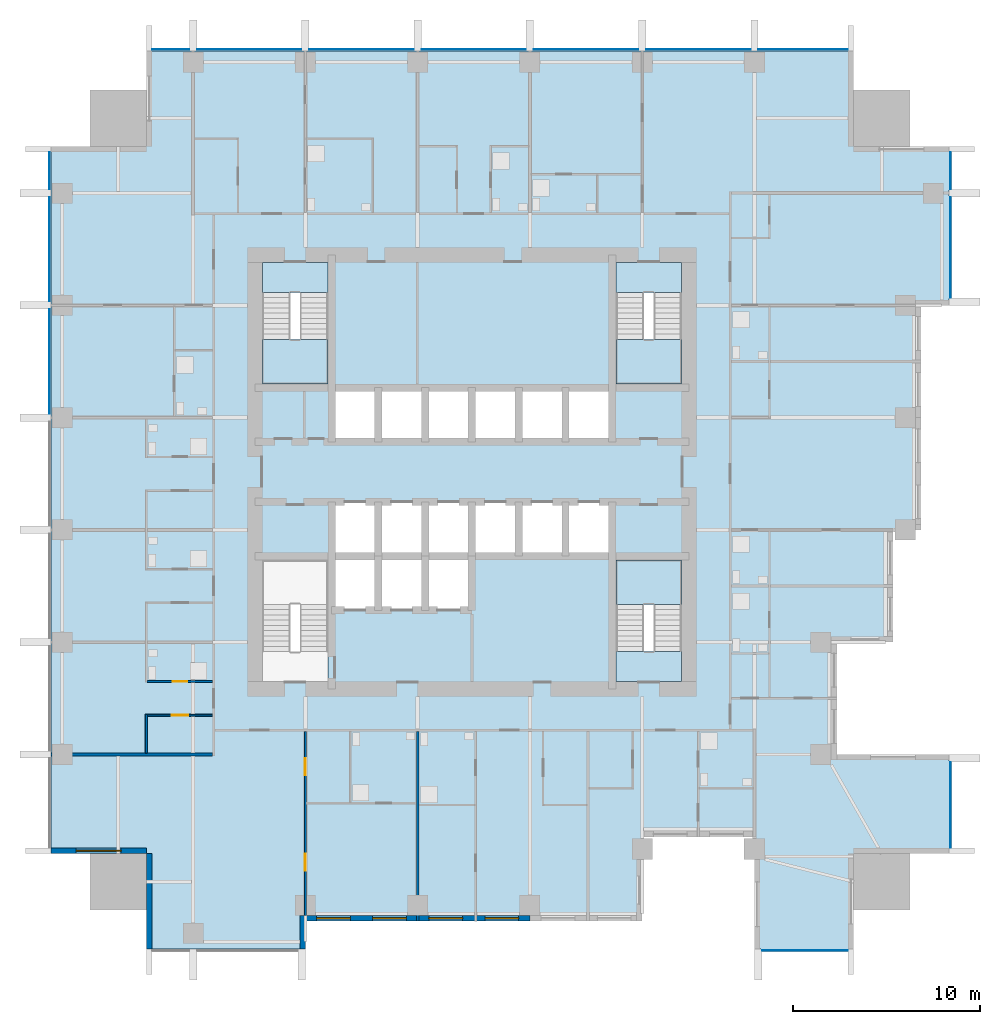
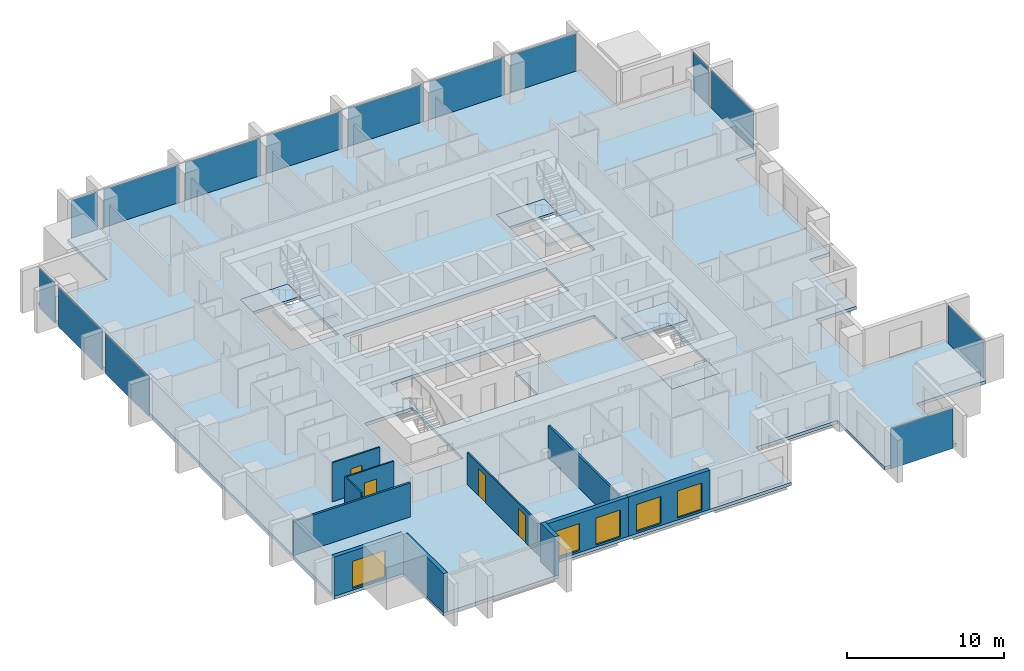
# One storey, part 3 of 10: 14 plates, 11 walls, 7 slabs, 5 windows, 4 doors, 9 openings, 8 elements without a shape of their own.
"""IFC4 building model written with IfcOpenShell, lengths in metres."""

from ifc_helpers import new_model, si_unit, direction, frame, frame_2d, origin, origin_2d, place, context, subcontext, project, spatial, polyline, rectangle, outline, extrude, material, layer, layer_set, type_object, element, fill, aggregate, save


model = new_model("IFC4")

# Units and contexts
model_context = context("Model", 3, precision=1e-05, world=origin(), true_north=direction((0.0, 1.0)))
body_context = subcontext(model_context, "Body", "Model", "MODEL_VIEW")
ifc_project = project(units=[si_unit("LENGTHUNIT", "METRE"), si_unit("AREAUNIT", "SQUARE_METRE"), si_unit("VOLUMEUNIT", "CUBIC_METRE"), si_unit("PLANEANGLEUNIT", "RADIAN"), si_unit("MASSUNIT", "GRAM", prefix="KILO")], contexts=[model_context])

# Site, building, storey
site_placement = place(None, origin())
site = spatial("IfcSite", under=ifc_project, at=site_placement, CompositionType="ELEMENT")
building_placement = place(site_placement, origin())
building = spatial("IfcBuilding", under=site, at=building_placement, Name="Amberfall Residences", CompositionType="ELEMENT")
storey_placement = place(building_placement, frame((0.0, 0.0, 105.10009765625)))
storey = spatial("IfcBuildingStorey", under=building, at=storey_placement, Name="L28", CompositionType="ELEMENT", Elevation=105.10009765625)

# Curtain wall, plate
ifc_material_1 = material(Name="Bronze anodised aluminium and glass", Category="aluminium")
curtain_wall_type = type_object("IfcCurtainWallType", Name="Curtain wall CW1 tower unit", PredefinedType="USERDEFINED", material=ifc_material_1)
curtain_wall_1_placement = place(storey_placement, origin())
curtain_wall_1 = element("IfcCurtainWall", 1, at=curtain_wall_1_placement, inside=storey, type_object=curtain_wall_type, Name="Curtain wall L28 S S9", ObjectType="UNITISED CURTAIN WALL", PredefinedType="USERDEFINED")
ifc_material_2 = material(Name="Tinted double glazed unit", Category="glass")
ifc_layer_1 = layer(ifc_material_2, 0.035888671875)
ifc_layer_set_1 = layer_set([ifc_layer_1], Name="CW1 panel 36 glazing")
plate_type = type_object("IfcPlateType", Name="CW1 panel 36 glazing", PredefinedType="CURTAIN_PANEL", material=ifc_layer_set_1)
plate_1_placement = place(storey_placement, frame((92.300048828125, 19.925048828125, -0.25), z_axis=(0.0, 0.0, 1.0), x_axis=(1.0, 0.0, 0.0)))
plate_1 = element("IfcPlate", 2, at=plate_1_placement, type_object=plate_type, Name="CW1 panel 1.1", PredefinedType="CURTAIN_PANEL", context=body_context, shape_type="SweptSolid", body=[
    extrude(rectangle(XDim=4.575927734375, YDim=0.035888671875, at=origin_2d()), origin(), (0.0, 0.0, 1.0), 3.14990234375),
])
aggregate(curtain_wall_1, [plate_1])

curtain_wall_2_placement = place(storey_placement, origin())
curtain_wall_2 = element("IfcCurtainWall", 3, at=curtain_wall_2_placement, inside=storey, type_object=curtain_wall_type, Name="Curtain wall L28 E E1", ObjectType="UNITISED CURTAIN WALL", PredefinedType="USERDEFINED")
plate_2_placement = place(storey_placement, frame((100.074951171875, 27.699951171875, -0.25), z_axis=(0.0, 0.0, 1.0), x_axis=(0.0, 1.0, 0.0)))
plate_2 = element("IfcPlate", 4, at=plate_2_placement, type_object=plate_type, Name="CW1 panel 1.1", PredefinedType="CURTAIN_PANEL", context=body_context, shape_type="SweptSolid", body=[
    extrude(rectangle(XDim=4.575927734375, YDim=0.035888671875, at=origin_2d()), origin(), (0.0, 0.0, 1.0), 3.14990234375),
])
aggregate(curtain_wall_2, [plate_2])

# Curtain wall, plates
curtain_wall_3_placement = place(storey_placement, origin())
curtain_wall_3 = element("IfcCurtainWall", 5, at=curtain_wall_3_placement, inside=storey, type_object=curtain_wall_type, Name="Curtain wall L28 E E10", ObjectType="UNITISED CURTAIN WALL", PredefinedType="USERDEFINED")
plate_3_placement = place(storey_placement, frame((100.074951171875, 57.5, -0.25), z_axis=(0.0, 0.0, 1.0), x_axis=(0.0, 1.0, 0.0)))
plate_3 = element("IfcPlate", 6, at=plate_3_placement, type_object=plate_type, Name="CW1 panel 1.1", PredefinedType="CURTAIN_PANEL", context=body_context, shape_type="SweptSolid", body=[
    extrude(rectangle(XDim=5.3759765625, YDim=0.035888671875, at=origin_2d()), origin(), (0.0, 0.0, 1.0), 3.14990234375),
])
plate_4_placement = place(storey_placement, frame((100.074951171875, 61.60009765625, -0.25), z_axis=(0.0, 0.0, 1.0), x_axis=(0.0, 1.0, 0.0)))
plate_4 = element("IfcPlate", 7, at=plate_4_placement, type_object=plate_type, Name="CW1 panel 2.1", PredefinedType="CURTAIN_PANEL", context=body_context, shape_type="SweptSolid", body=[
    extrude(rectangle(XDim=1.97607421875, YDim=0.035888671875, at=origin_2d()), origin(), (0.0, 0.0, 1.0), 3.14990234375),
])
aggregate(curtain_wall_3, [plate_3, plate_4])

curtain_wall_4_placement = place(storey_placement, origin())
curtain_wall_4 = element("IfcCurtainWall", 8, at=curtain_wall_4_placement, inside=storey, type_object=curtain_wall_type, Name="Curtain wall L28 N N1", ObjectType="UNITISED CURTAIN WALL", PredefinedType="USERDEFINED")
plate_5_placement = place(storey_placement, frame((92.199951171875, 68.074951171875, -0.25), z_axis=(0.0, 0.0, 1.0), x_axis=(-1.0, 0.0, 0.0)))
plate_5 = element("IfcPlate", 9, at=plate_5_placement, type_object=plate_type, Name="CW1 panel 1.1", PredefinedType="CURTAIN_PANEL", context=body_context, shape_type="SweptSolid", body=[
    extrude(rectangle(XDim=4.77587890625, YDim=0.035888671875, at=origin_2d()), origin(), (0.0, 0.0, 1.0), 3.14990234375),
])
plate_6_placement = place(storey_placement, frame((86.60009765625, 68.074951171875, -0.25), z_axis=(0.0, 0.0, 1.0), x_axis=(-1.0, 0.0, 0.0)))
plate_6 = element("IfcPlate", 10, at=plate_6_placement, type_object=plate_type, Name="CW1 panel 2.1", PredefinedType="CURTAIN_PANEL", context=body_context, shape_type="SweptSolid", body=[
    extrude(rectangle(XDim=5.575927734375, YDim=0.035888671875, at=origin_2d()), origin(), (0.0, 0.0, 1.0), 3.14990234375),
])
plate_7_placement = place(storey_placement, frame((80.60009765625, 68.074951171875, -0.25), z_axis=(0.0, 0.0, 1.0), x_axis=(-1.0, 0.0, 0.0)))
plate_7 = element("IfcPlate", 11, at=plate_7_placement, type_object=plate_type, Name="CW1 panel 3.1", PredefinedType="CURTAIN_PANEL", context=body_context, shape_type="SweptSolid", body=[
    extrude(rectangle(XDim=5.575927734375, YDim=0.035888671875, at=origin_2d()), origin(), (0.0, 0.0, 1.0), 3.14990234375),
])
plate_8_placement = place(storey_placement, frame((74.60009765625, 68.074951171875, -0.25), z_axis=(0.0, 0.0, 1.0), x_axis=(-1.0, 0.0, 0.0)))
plate_8 = element("IfcPlate", 12, at=plate_8_placement, type_object=plate_type, Name="CW1 panel 4.1", PredefinedType="CURTAIN_PANEL", context=body_context, shape_type="SweptSolid", body=[
    extrude(rectangle(XDim=5.575927734375, YDim=0.035888671875, at=origin_2d()), origin(), (0.0, 0.0, 1.0), 3.14990234375),
])
plate_9_placement = place(storey_placement, frame((68.60009765625, 68.074951171875, -0.25), z_axis=(0.0, 0.0, 1.0), x_axis=(-1.0, 0.0, 0.0)))
plate_9 = element("IfcPlate", 13, at=plate_9_placement, type_object=plate_type, Name="CW1 panel 5.1", PredefinedType="CURTAIN_PANEL", context=body_context, shape_type="SweptSolid", body=[
    extrude(rectangle(XDim=5.575927734375, YDim=0.035888671875, at=origin_2d()), origin(), (0.0, 0.0, 1.0), 3.14990234375),
])
plate_10_placement = place(storey_placement, frame((62.60009765625, 68.074951171875, -0.25), z_axis=(0.0, 0.0, 1.0), x_axis=(-1.0, 0.0, 0.0)))
plate_10 = element("IfcPlate", 14, at=plate_10_placement, type_object=plate_type, Name="CW1 panel 6.1", PredefinedType="CURTAIN_PANEL", context=body_context, shape_type="SweptSolid", body=[
    extrude(rectangle(XDim=5.575927734375, YDim=0.035888671875, at=origin_2d()), origin(), (0.0, 0.0, 1.0), 3.14990234375),
])
plate_11_placement = place(storey_placement, frame((58.39990234375, 68.074951171875, -0.25), z_axis=(0.0, 0.0, 1.0), x_axis=(-1.0, 0.0, 0.0)))
plate_11 = element("IfcPlate", 15, at=plate_11_placement, type_object=plate_type, Name="CW1 panel 7.1", PredefinedType="CURTAIN_PANEL", context=body_context, shape_type="SweptSolid", body=[
    extrude(rectangle(XDim=1.97607421875, YDim=0.035888671875, at=origin_2d()), origin(), (0.0, 0.0, 1.0), 3.14990234375),
])
aggregate(curtain_wall_4, [plate_5, plate_6, plate_7, plate_8, plate_9, plate_10, plate_11])

curtain_wall_5_placement = place(storey_placement, origin())
curtain_wall_5 = element("IfcCurtainWall", 16, at=curtain_wall_5_placement, inside=storey, type_object=curtain_wall_type, Name="Curtain wall L28 W W1", ObjectType="UNITISED CURTAIN WALL", PredefinedType="USERDEFINED")
plate_12_placement = place(storey_placement, frame((51.925048828125, 61.60009765625, -0.25), z_axis=(0.0, 0.0, 1.0), x_axis=(0.0, -1.0, 0.0)))
plate_12 = element("IfcPlate", 17, at=plate_12_placement, type_object=plate_type, Name="CW1 panel 1.1", PredefinedType="CURTAIN_PANEL", context=body_context, shape_type="SweptSolid", body=[
    extrude(rectangle(XDim=1.97607421875, YDim=0.035888671875, at=origin_2d()), origin(), (0.0, 0.0, 1.0), 3.14990234375),
])
plate_13_placement = place(storey_placement, frame((51.925048828125, 57.39990234375, -0.25), z_axis=(0.0, 0.0, 1.0), x_axis=(0.0, -1.0, 0.0)))
plate_13 = element("IfcPlate", 18, at=plate_13_placement, type_object=plate_type, Name="CW1 panel 2.1", PredefinedType="CURTAIN_PANEL", context=body_context, shape_type="SweptSolid", body=[
    extrude(rectangle(XDim=5.575927734375, YDim=0.035888671875, at=origin_2d()), origin(), (0.0, 0.0, 1.0), 3.14990234375),
])
plate_14_placement = place(storey_placement, frame((51.925048828125, 51.39990234375, -0.25), z_axis=(0.0, 0.0, 1.0), x_axis=(0.0, -1.0, 0.0)))
plate_14 = element("IfcPlate", 19, at=plate_14_placement, type_object=plate_type, Name="CW1 panel 3.1", PredefinedType="CURTAIN_PANEL", context=body_context, shape_type="SweptSolid", body=[
    extrude(rectangle(XDim=5.575927734375, YDim=0.035888671875, at=origin_2d()), origin(), (0.0, 0.0, 1.0), 3.14990234375),
])
aggregate(curtain_wall_5, [plate_12, plate_13, plate_14])

# Slab
ifc_material_3 = material(Name="Concrete C70", Category="concrete")
ifc_layer_2 = layer(ifc_material_3, 0.25)
ifc_layer_set_2 = layer_set([ifc_layer_2], Name="Floor slab 250 C70")
slab_type_1 = type_object("IfcSlabType", Name="Floor slab 250 C70", PredefinedType="FLOOR", material=ifc_layer_set_2)
slab_1_placement = place(storey_placement, frame((0.0, 0.0, -0.25)))
element("IfcSlab", 20, at=slab_1_placement, inside=storey, type_object=slab_type_1, Name="Floor slab S7 L28", PredefinedType="FLOOR", context=body_context, shape_type="SweptSolid", body=[
    extrude(outline(polyline([(89.60009765625, 20.0), (89.60009765625, 26.0), (83.60009765625, 26.0), (83.60009765625, 21.5), (77.60009765625, 21.5), (71.60009765625, 21.5), (65.60009765625, 21.5), (65.60009765625, 20.0), (57.10009765625, 20.0), (57.10009765625, 25.10009765625), (52.0, 25.10009765625), (52.0, 62.89990234375), (57.10009765625, 62.89990234375), (57.10009765625, 68.0), (94.89990234375, 68.0), (94.89990234375, 62.89990234375), (100.0, 62.89990234375), (100.0, 54.39990234375), (98.5, 54.39990234375), (98.5, 48.39990234375), (98.5, 42.39990234375), (97.0, 42.39990234375), (97.0, 36.39990234375), (94.0, 36.39990234375), (94.0, 30.39990234375), (100.0, 30.39990234375), (100.0, 25.10009765625), (94.89990234375, 25.10009765625), (94.89990234375, 20.0), (89.60009765625, 20.0)]), holes=[polyline([(85.699951171875, 34.300048828125), (85.699951171875, 40.800048828125), (82.199951171875, 40.800048828125), (82.199951171875, 34.300048828125), (85.699951171875, 34.300048828125)]), polyline([(82.199951171875, 50.199951171875), (85.699951171875, 50.199951171875), (85.699951171875, 56.699951171875), (82.199951171875, 56.699951171875), (82.199951171875, 50.199951171875)]), polyline([(69.5, 50.0), (67.0, 50.0), (67.0, 47.10009765625), (69.5, 47.10009765625), (72.0, 47.10009765625), (74.5, 47.10009765625), (77.0, 47.10009765625), (79.5, 47.10009765625), (82.0, 47.10009765625), (82.0, 50.0), (79.5, 50.0), (77.0, 50.0), (74.5, 50.0), (72.0, 50.0), (69.5, 50.0)]), polyline([(74.5, 41.0), (77.0, 41.0), (79.5, 41.0), (82.0, 41.0), (82.0, 43.89990234375), (79.5, 43.89990234375), (77.0, 43.89990234375), (74.5, 43.89990234375), (72.0, 43.89990234375), (69.5, 43.89990234375), (67.0, 43.89990234375), (67.0, 41.0), (67.0, 38.10009765625), (69.5, 38.10009765625), (72.0, 38.10009765625), (74.5, 38.10009765625), (74.5, 41.0)]), polyline([(66.800048828125, 34.300048828125), (66.800048828125, 40.800048828125), (63.300048828125, 40.800048828125), (63.300048828125, 34.300048828125), (66.800048828125, 34.300048828125)]), polyline([(66.800048828125, 50.199951171875), (66.800048828125, 56.699951171875), (63.300048828125, 56.699951171875), (63.300048828125, 50.199951171875), (66.800048828125, 50.199951171875)])]), origin(), (0.0, 0.0, 1.0), 0.25),
])

# Stair, slabs
ifc_material_4 = material(Name="Concrete C40", Category="concrete")
stair_type = type_object("IfcStairType", Name="Exit stair 20 risers 165.0 mm", PredefinedType="HALF_TURN_STAIR", material=ifc_material_4)
stair_1_placement = place(storey_placement, origin())
stair_1 = element("IfcStair", 21, at=stair_1_placement, inside=storey, type_object=stair_type, Name="L28 Exit stair 2", PredefinedType="HALF_TURN_STAIR")
ifc_layer_3 = layer(ifc_material_4, 0.199951171875)
ifc_layer_set_3 = layer_set([ifc_layer_3], Name="Stair landing 200")
slab_type_2 = type_object("IfcSlabType", Name="Stair landing 200", PredefinedType="LANDING", material=ifc_layer_set_3)
slab_2_placement = place(storey_placement, frame((0.0, 0.0, 1.449951171875)))
slab_2 = element("IfcSlab", 22, at=slab_2_placement, type_object=slab_type_2, Name="ST3 landing 1", PredefinedType="LANDING", context=body_context, shape_type="SweptSolid", body=[
    extrude(outline(polyline([(85.699951171875, 38.419921875), (85.699951171875, 40.800048828125), (82.199951171875, 40.800048828125), (82.199951171875, 38.419921875), (85.699951171875, 38.419921875)])), origin(), (0.0, 0.0, 1.0), 0.199951171875),
])
slab_3_placement = place(storey_placement, frame((0.0, 0.0, -0.2001953125)))
slab_3 = element("IfcSlab", 23, at=slab_3_placement, type_object=slab_type_2, Name="ST3 landing 2", PredefinedType="LANDING", context=body_context, shape_type="SweptSolid", body=[
    extrude(outline(polyline([(85.699951171875, 34.300048828125), (85.699951171875, 35.89990234375), (82.199951171875, 35.89990234375), (82.199951171875, 34.300048828125), (85.699951171875, 34.300048828125)])), origin(), (0.0, 0.0, 1.0), 0.2001953125),
])
aggregate(stair_1, [slab_2, slab_3])

stair_2_placement = place(storey_placement, origin())
stair_2 = element("IfcStair", 24, at=stair_2_placement, inside=storey, type_object=stair_type, Name="L28 Exit stair 3", PredefinedType="HALF_TURN_STAIR")
slab_4_placement = place(storey_placement, frame((0.0, 0.0, 1.449951171875)))
slab_4 = element("IfcSlab", 25, at=slab_4_placement, type_object=slab_type_2, Name="ST3 landing 1", PredefinedType="LANDING", context=body_context, shape_type="SweptSolid", body=[
    extrude(outline(polyline([(82.199951171875, 52.580078125), (82.199951171875, 50.199951171875), (85.699951171875, 50.199951171875), (85.699951171875, 52.580078125), (82.199951171875, 52.580078125)])), origin(), (0.0, 0.0, 1.0), 0.199951171875),
])
slab_5_placement = place(storey_placement, frame((0.0, 0.0, -0.2001953125)))
slab_5 = element("IfcSlab", 26, at=slab_5_placement, type_object=slab_type_2, Name="ST3 landing 2", PredefinedType="LANDING", context=body_context, shape_type="SweptSolid", body=[
    extrude(outline(polyline([(82.199951171875, 56.699951171875), (82.199951171875, 55.10009765625), (85.699951171875, 55.10009765625), (85.699951171875, 56.699951171875), (82.199951171875, 56.699951171875)])), origin(), (0.0, 0.0, 1.0), 0.2001953125),
])
aggregate(stair_2, [slab_4, slab_5])

stair_3_placement = place(storey_placement, origin())
stair_3 = element("IfcStair", 27, at=stair_3_placement, inside=storey, type_object=stair_type, Name="L28 Exit stair 4", PredefinedType="HALF_TURN_STAIR")
slab_6_placement = place(storey_placement, frame((0.0, 0.0, 1.449951171875)))
slab_6 = element("IfcSlab", 28, at=slab_6_placement, type_object=slab_type_2, Name="ST3 landing 1", PredefinedType="LANDING", context=body_context, shape_type="SweptSolid", body=[
    extrude(outline(polyline([(63.300048828125, 52.580078125), (63.300048828125, 50.199951171875), (66.800048828125, 50.199951171875), (66.800048828125, 52.580078125), (63.300048828125, 52.580078125)])), origin(), (0.0, 0.0, 1.0), 0.199951171875),
])
slab_7_placement = place(storey_placement, frame((0.0, 0.0, -0.2001953125)))
slab_7 = element("IfcSlab", 29, at=slab_7_placement, type_object=slab_type_2, Name="ST3 landing 2", PredefinedType="LANDING", context=body_context, shape_type="SweptSolid", body=[
    extrude(outline(polyline([(63.300048828125, 56.699951171875), (63.300048828125, 55.10009765625), (66.800048828125, 55.10009765625), (66.800048828125, 56.699951171875), (63.300048828125, 56.699951171875)])), origin(), (0.0, 0.0, 1.0), 0.2001953125),
])
aggregate(stair_3, [slab_6, slab_7])

# Wall
ifc_material_5 = material(Name="Pale stone cladding on insulated backing", Category="masonry")
ifc_layer_4 = layer(ifc_material_5, 0.300048828125)
ifc_layer_set_4 = layer_set([ifc_layer_4], Name="Bronze clad wall 300")
wall_type_1 = type_object("IfcWallType", Name="Bronze clad wall 300", PredefinedType="SOLIDWALL", material=ifc_layer_set_4)
wall_1_placement = place(storey_placement, frame((65.449951171875, 20.0, 0.0), z_axis=(0.0, 0.0, 1.0), x_axis=(0.0, 1.0, 0.0)))
element("IfcWall", 30, at=wall_1_placement, inside=storey, type_object=wall_type_1, Name="External wall L28 S", PredefinedType="SOLIDWALL", context=body_context, shape_type="SweptSolid", body=[
    extrude(rectangle(XDim=1.800048828125, YDim=0.300048828125, at=frame_2d((0.89990234375, 0.0))), origin(), (0.0, 0.0, 1.0), 3.0498046875),
])

# Wall, opening, window
wall_2_placement = place(storey_placement, frame((52.0, 25.25, 0.0), z_axis=(0.0, 0.0, 1.0), x_axis=(1.0, 0.0, 0.0)))
wall_2 = element("IfcWall", 31, at=wall_2_placement, inside=storey, type_object=wall_type_1, Name="External wall L28 SW", PredefinedType="SOLIDWALL", context=body_context, shape_type="SweptSolid", body=[
    extrude(rectangle(XDim=5.10009765625, YDim=0.300048828125, at=frame_2d((2.550048828125, 0.0))), origin(), (0.0, 0.0, 1.0), 3.0498046875),
])
opening_1_placement = place(wall_2_placement, frame((1.35009765625, 0.0, 0.14990234375)))
opening_1 = element("IfcOpeningElement", 32, at=opening_1_placement, cuts=wall_2, Name="Opening WN5", PredefinedType="OPENING", context=body_context, shape_type="SweptSolid", body=[
    extrude(rectangle(XDim=2.39990234375, YDim=2.10009765625, at=frame_2d((1.199951171875, 1.050048828125))), frame((0.0, 0.159912109375, 0.0), z_axis=(0.0, -1.0, 0.0), x_axis=(1.0, 0.0, 0.0)), (0.0, 0.0, 1.0), 0.320068359375),
])
ifc_material_6 = material(Name="Bronze aluminium framed glazing", Category="aluminium")
window_type_1 = type_object("IfcWindowType", Name="Glazed opening 2400 x 2100 bronze", PartitioningType="DOUBLE_PANEL_VERTICAL", PredefinedType="WINDOW", material=ifc_material_6)
window_1_placement = place(opening_1_placement, origin())
window_1 = element("IfcWindow", 33, at=window_1_placement, inside=storey, type_object=window_type_1, Name="Window L28 SW", OverallHeight=2.10009765625, OverallWidth=2.39990234375, PartitioningType="DOUBLE_PANEL_VERTICAL", PredefinedType="WINDOW", context=body_context, shape_type="SweptSolid", body=[
    extrude(rectangle(XDim=2.39990234375, YDim=2.10009765625, at=frame_2d((1.199951171875, 1.050048828125))), frame((0.0, 0.030029296875, 0.0), z_axis=(0.0, -1.0, 0.0), x_axis=(1.0, 0.0, 0.0)), (0.0, 0.0, 1.0), 0.06005859375),
])
fill(opening_1, window_1)

# Wall
wall_3_placement = place(storey_placement, frame((57.25, 25.10009765625, 0.0), z_axis=(0.0, 0.0, 1.0), x_axis=(0.0, -1.0, 0.0)))
element("IfcWall", 34, at=wall_3_placement, inside=storey, type_object=wall_type_1, Name="External wall L28 SW", PredefinedType="SOLIDWALL", context=body_context, shape_type="SweptSolid", body=[
    extrude(rectangle(XDim=5.10009765625, YDim=0.300048828125, at=frame_2d((2.550048828125, 0.0))), origin(), (0.0, 0.0, 1.0), 3.0498046875),
])

# Wall, openings, windows
wall_4_placement = place(storey_placement, frame((65.60009765625, 21.64990234375, 0.0), z_axis=(0.0, 0.0, 1.0), x_axis=(1.0, 0.0, 0.0)))
wall_4 = element("IfcWall", 35, at=wall_4_placement, inside=storey, type_object=wall_type_1, Name="Stone wall L28 S", PredefinedType="SOLIDWALL", context=body_context, shape_type="SweptSolid", body=[
    extrude(rectangle(XDim=6.0, YDim=0.300048828125, at=frame_2d((3.0, 0.0))), origin(), (0.0, 0.0, 1.0), 3.0498046875),
])
opening_2_placement = place(wall_4_placement, frame((0.60009765625, 0.0, 0.14990234375)))
opening_2 = element("IfcOpeningElement", 36, at=opening_2_placement, cuts=wall_4, Name="Opening WN6", PredefinedType="OPENING", context=body_context, shape_type="SweptSolid", body=[
    extrude(rectangle(XDim=1.800048828125, YDim=2.10009765625, at=frame_2d((0.89990234375, 1.050048828125))), frame((0.0, 0.159912109375, 0.0), z_axis=(0.0, -1.0, 0.0), x_axis=(1.0, 0.0, 0.0)), (0.0, 0.0, 1.0), 0.320068359375),
])
opening_3_placement = place(wall_4_placement, frame((3.60009765625, 0.0, 0.14990234375)))
opening_3 = element("IfcOpeningElement", 37, at=opening_3_placement, cuts=wall_4, Name="Opening WN6", PredefinedType="OPENING", context=body_context, shape_type="SweptSolid", body=[
    extrude(rectangle(XDim=1.800048828125, YDim=2.10009765625, at=frame_2d((0.89990234375, 1.050048828125))), frame((0.0, 0.159912109375, 0.0), z_axis=(0.0, -1.0, 0.0), x_axis=(1.0, 0.0, 0.0)), (0.0, 0.0, 1.0), 0.320068359375),
])
window_type_2 = type_object("IfcWindowType", Name="Glazed opening 1800 x 2100 bronze", PartitioningType="DOUBLE_PANEL_VERTICAL", PredefinedType="WINDOW", material=ifc_material_6)
window_2_placement = place(opening_2_placement, origin())
window_2 = element("IfcWindow", 38, at=window_2_placement, inside=storey, type_object=window_type_2, Name="Window L28 S", OverallHeight=2.10009765625, OverallWidth=1.800048828125, PartitioningType="DOUBLE_PANEL_VERTICAL", PredefinedType="WINDOW", context=body_context, shape_type="SweptSolid", body=[
    extrude(rectangle(XDim=1.800048828125, YDim=2.10009765625, at=frame_2d((0.89990234375, 1.050048828125))), frame((0.0, 0.030029296875, 0.0), z_axis=(0.0, -1.0, 0.0), x_axis=(1.0, 0.0, 0.0)), (0.0, 0.0, 1.0), 0.06005859375),
])
fill(opening_2, window_2)
window_3_placement = place(opening_3_placement, origin())
window_3 = element("IfcWindow", 39, at=window_3_placement, inside=storey, type_object=window_type_2, Name="Window L28 S", OverallHeight=2.10009765625, OverallWidth=1.800048828125, PartitioningType="DOUBLE_PANEL_VERTICAL", PredefinedType="WINDOW", context=body_context, shape_type="SweptSolid", body=[
    extrude(rectangle(XDim=1.800048828125, YDim=2.10009765625, at=frame_2d((0.89990234375, 1.050048828125))), frame((0.0, 0.030029296875, 0.0), z_axis=(0.0, -1.0, 0.0), x_axis=(1.0, 0.0, 0.0)), (0.0, 0.0, 1.0), 0.06005859375),
])
fill(opening_3, window_3)

wall_5_placement = place(storey_placement, frame((71.60009765625, 21.64990234375, 0.0), z_axis=(0.0, 0.0, 1.0), x_axis=(1.0, 0.0, 0.0)))
wall_5 = element("IfcWall", 40, at=wall_5_placement, inside=storey, type_object=wall_type_1, Name="Stone wall L28 S", PredefinedType="SOLIDWALL", context=body_context, shape_type="SweptSolid", body=[
    extrude(rectangle(XDim=6.0, YDim=0.300048828125, at=frame_2d((3.0, 0.0))), origin(), (0.0, 0.0, 1.0), 3.0498046875),
])
opening_4_placement = place(wall_5_placement, frame((0.60009765625, 0.0, 0.14990234375)))
opening_4 = element("IfcOpeningElement", 41, at=opening_4_placement, cuts=wall_5, Name="Opening WN6", PredefinedType="OPENING", context=body_context, shape_type="SweptSolid", body=[
    extrude(rectangle(XDim=1.800048828125, YDim=2.10009765625, at=frame_2d((0.89990234375, 1.050048828125))), frame((0.0, 0.159912109375, 0.0), z_axis=(0.0, -1.0, 0.0), x_axis=(1.0, 0.0, 0.0)), (0.0, 0.0, 1.0), 0.320068359375),
])
opening_5_placement = place(wall_5_placement, frame((3.60009765625, 0.0, 0.14990234375)))
opening_5 = element("IfcOpeningElement", 42, at=opening_5_placement, cuts=wall_5, Name="Opening WN6", PredefinedType="OPENING", context=body_context, shape_type="SweptSolid", body=[
    extrude(rectangle(XDim=1.800048828125, YDim=2.10009765625, at=frame_2d((0.89990234375, 1.050048828125))), frame((0.0, 0.159912109375, 0.0), z_axis=(0.0, -1.0, 0.0), x_axis=(1.0, 0.0, 0.0)), (0.0, 0.0, 1.0), 0.320068359375),
])
window_4_placement = place(opening_4_placement, origin())
window_4 = element("IfcWindow", 43, at=window_4_placement, inside=storey, type_object=window_type_2, Name="Window L28 S", OverallHeight=2.10009765625, OverallWidth=1.800048828125, PartitioningType="DOUBLE_PANEL_VERTICAL", PredefinedType="WINDOW", context=body_context, shape_type="SweptSolid", body=[
    extrude(rectangle(XDim=1.800048828125, YDim=2.10009765625, at=frame_2d((0.89990234375, 1.050048828125))), frame((0.0, 0.030029296875, 0.0), z_axis=(0.0, -1.0, 0.0), x_axis=(1.0, 0.0, 0.0)), (0.0, 0.0, 1.0), 0.06005859375),
])
fill(opening_4, window_4)
window_5_placement = place(opening_5_placement, origin())
window_5 = element("IfcWindow", 44, at=window_5_placement, inside=storey, type_object=window_type_2, Name="Window L28 S", OverallHeight=2.10009765625, OverallWidth=1.800048828125, PartitioningType="DOUBLE_PANEL_VERTICAL", PredefinedType="WINDOW", context=body_context, shape_type="SweptSolid", body=[
    extrude(rectangle(XDim=1.800048828125, YDim=2.10009765625, at=frame_2d((0.89990234375, 1.050048828125))), frame((0.0, 0.030029296875, 0.0), z_axis=(0.0, -1.0, 0.0), x_axis=(1.0, 0.0, 0.0)), (0.0, 0.0, 1.0), 0.06005859375),
])
fill(opening_5, window_5)

# Wall
ifc_material_7 = material(Name="Gypsum board on metal stud")
ifc_layer_5 = layer(ifc_material_7, 0.10009765625)
ifc_layer_set_5 = layer_set([ifc_layer_5], Name="Flat partition 100")
wall_type_2 = type_object("IfcWallType", Name="Flat partition 100", PredefinedType="PARTITIONING", material=ifc_layer_set_5)
wall_6_placement = place(storey_placement, frame((57.10009765625, 30.47509765625, 0.0), z_axis=(0.0, 0.0, 1.0), x_axis=(0.0, 1.0, 0.0)))
element("IfcWall", 45, at=wall_6_placement, inside=storey, type_object=wall_type_2, Name="Partition 001", PredefinedType="PARTITIONING", context=body_context, shape_type="SweptSolid", body=[
    extrude(rectangle(XDim=2.074951171875, YDim=0.10009765625, at=frame_2d((1.03759765625, 0.0))), origin(), (0.0, 0.0, 1.0), 3.0498046875),
])

# Wall, openings, doors
wall_7_placement = place(storey_placement, frame((65.60009765625, 31.625, 0.0), z_axis=(0.0, 0.0, 1.0), x_axis=(0.0, -1.0, 0.0)))
wall_7 = element("IfcWall", 46, at=wall_7_placement, inside=storey, type_object=wall_type_2, Name="Partition 007", PredefinedType="PARTITIONING", context=body_context, shape_type="SweptSolid", body=[
    extrude(rectangle(XDim=10.125, YDim=0.10009765625, at=frame_2d((5.0625, 0.0))), origin(), (0.0, 0.0, 1.0), 2.515869140625),
])
opening_6_placement = place(wall_7_placement, frame((1.425048828125, 0.0, 0.0)))
opening_6 = element("IfcOpeningElement", 47, at=opening_6_placement, cuts=wall_7, Name="Opening D41", PredefinedType="OPENING", context=body_context, shape_type="SweptSolid", body=[
    extrude(rectangle(XDim=0.89990234375, YDim=2.10009765625, at=frame_2d((0.449951171875, 1.050048828125))), frame((0.0, 0.06005859375, 0.0), z_axis=(0.0, -1.0, 0.0), x_axis=(1.0, 0.0, 0.0)), (0.0, 0.0, 1.0), 0.1201171875),
])
opening_7_placement = place(wall_7_placement, frame((6.52490234375, 0.0, 0.0)))
opening_7 = element("IfcOpeningElement", 48, at=opening_7_placement, cuts=wall_7, Name="Opening D41", PredefinedType="OPENING", context=body_context, shape_type="SweptSolid", body=[
    extrude(rectangle(XDim=0.89990234375, YDim=2.10009765625, at=frame_2d((0.449951171875, 1.050048828125))), frame((0.0, 0.06005859375, 0.0), z_axis=(0.0, -1.0, 0.0), x_axis=(1.0, 0.0, 0.0)), (0.0, 0.0, 1.0), 0.1201171875),
])
ifc_material_8 = material(Name="Timber", Category="wood")
door_type_1 = type_object("IfcDoorType", Name="Internal door 900 x 2100", OperationType="SINGLE_SWING_LEFT", PredefinedType="DOOR", material=ifc_material_8)
door_1_placement = place(opening_6_placement, origin())
door_1 = element("IfcDoor", 49, at=door_1_placement, inside=storey, type_object=door_type_1, Name="Door 2801 kitchen", OperationType="SINGLE_SWING_LEFT", OverallHeight=2.10009765625, OverallWidth=0.89990234375, PredefinedType="DOOR", context=body_context, shape_type="SweptSolid", body=[
    extrude(rectangle(XDim=0.89990234375, YDim=2.10009765625, at=frame_2d((0.449951171875, 1.050048828125))), frame((0.0, 0.02490234375, 0.0), z_axis=(0.0, -1.0, 0.0), x_axis=(1.0, 0.0, 0.0)), (0.0, 0.0, 1.0), 0.050048828125),
])
fill(opening_6, door_1)
door_2_placement = place(opening_7_placement, origin())
door_2 = element("IfcDoor", 50, at=door_2_placement, inside=storey, type_object=door_type_1, Name="Door 2801 bedroom1", OperationType="SINGLE_SWING_LEFT", OverallHeight=2.10009765625, OverallWidth=0.89990234375, PredefinedType="DOOR", context=body_context, shape_type="SweptSolid", body=[
    extrude(rectangle(XDim=0.89990234375, YDim=2.10009765625, at=frame_2d((0.449951171875, 1.050048828125))), frame((0.0, 0.02490234375, 0.0), z_axis=(0.0, -1.0, 0.0), x_axis=(1.0, 0.0, 0.0)), (0.0, 0.0, 1.0), 0.050048828125),
])
fill(opening_7, door_2)

# Wall, opening, door
wall_8_placement = place(storey_placement, frame((57.14990234375, 34.300048828125, 0.0), z_axis=(0.0, 0.0, 1.0), x_axis=(1.0, 0.0, 0.0)))
wall_8 = element("IfcWall", 51, at=wall_8_placement, inside=storey, type_object=wall_type_2, Name="Partition 038", PredefinedType="PARTITIONING", context=body_context, shape_type="SweptSolid", body=[
    extrude(rectangle(XDim=3.47509765625, YDim=0.10009765625, at=frame_2d((1.737548828125, 0.0))), origin(), (0.0, 0.0, 1.0), 3.0498046875),
])
opening_8_placement = place(wall_8_placement, frame((1.35009765625, 0.0, 0.0)))
opening_8 = element("IfcOpeningElement", 52, at=opening_8_placement, cuts=wall_8, Name="Opening D42", PredefinedType="OPENING", context=body_context, shape_type="SweptSolid", body=[
    extrude(rectangle(XDim=0.800048828125, YDim=2.10009765625, at=frame_2d((0.39990234375, 1.050048828125))), frame((0.0, 0.06005859375, 0.0), z_axis=(0.0, -1.0, 0.0), x_axis=(1.0, 0.0, 0.0)), (0.0, 0.0, 1.0), 0.1201171875),
])
door_type_2 = type_object("IfcDoorType", Name="Bathroom door 800 x 2100", OperationType="SINGLE_SWING_LEFT", PredefinedType="DOOR", material=ifc_material_8)
door_3_placement = place(opening_8_placement, origin())
door_3 = element("IfcDoor", 53, at=door_3_placement, inside=storey, type_object=door_type_2, Name="Door 2810 bath1", OperationType="SINGLE_SWING_LEFT", OverallHeight=2.10009765625, OverallWidth=0.800048828125, PredefinedType="DOOR", context=body_context, shape_type="SweptSolid", body=[
    extrude(rectangle(XDim=0.800048828125, YDim=2.10009765625, at=frame_2d((0.39990234375, 1.050048828125))), frame((0.0, 0.02490234375, 0.0), z_axis=(0.0, -1.0, 0.0), x_axis=(1.0, 0.0, 0.0)), (0.0, 0.0, 1.0), 0.050048828125),
])
fill(opening_8, door_3)

wall_9_placement = place(storey_placement, frame((60.625, 32.5, 0.0), z_axis=(0.0, 0.0, 1.0), x_axis=(-1.0, 0.0, 0.0)))
wall_9 = element("IfcWall", 54, at=wall_9_placement, inside=storey, type_object=wall_type_2, Name="Partition 040", PredefinedType="PARTITIONING", context=body_context, shape_type="SweptSolid", body=[
    extrude(rectangle(XDim=3.47509765625, YDim=0.10009765625, at=frame_2d((1.737548828125, 0.0))), origin(), (0.0, 0.0, 1.0), 3.0498046875),
])
opening_9_placement = place(wall_9_placement, frame((1.27490234375, 0.0, 0.0)))
opening_9 = element("IfcOpeningElement", 55, at=opening_9_placement, cuts=wall_9, Name="Opening D41", PredefinedType="OPENING", context=body_context, shape_type="SweptSolid", body=[
    extrude(rectangle(XDim=0.89990234375, YDim=2.10009765625, at=frame_2d((0.449951171875, 1.050048828125))), frame((0.0, 0.06005859375, 0.0), z_axis=(0.0, -1.0, 0.0), x_axis=(1.0, 0.0, 0.0)), (0.0, 0.0, 1.0), 0.1201171875),
])
door_4_placement = place(opening_9_placement, origin())
door_4 = element("IfcDoor", 56, at=door_4_placement, inside=storey, type_object=door_type_1, Name="Door 2810 kitchen", OperationType="SINGLE_SWING_LEFT", OverallHeight=2.10009765625, OverallWidth=0.89990234375, PredefinedType="DOOR", context=body_context, shape_type="SweptSolid", body=[
    extrude(rectangle(XDim=0.89990234375, YDim=2.10009765625, at=frame_2d((0.449951171875, 1.050048828125))), frame((0.0, 0.02490234375, 0.0), z_axis=(0.0, -1.0, 0.0), x_axis=(1.0, 0.0, 0.0)), (0.0, 0.0, 1.0), 0.050048828125),
])
fill(opening_9, door_4)

# Walls
ifc_material_9 = material(Name="Blockwork, plastered", Category="masonry")
ifc_layer_6 = layer(ifc_material_9, 0.14990234375)
ifc_layer_set_6 = layer_set([ifc_layer_6], Name="Flat separating wall 150")
wall_type_3 = type_object("IfcWallType", Name="Flat separating wall 150", PredefinedType="PARTITIONING", material=ifc_layer_set_6)
wall_10_placement = place(storey_placement, frame((71.60009765625, 21.5, 0.0), z_axis=(0.0, 0.0, 1.0), x_axis=(0.0, 1.0, 0.0)))
element("IfcWall", 57, at=wall_10_placement, inside=storey, type_object=wall_type_3, Name="Separating wall 048", PredefinedType="PARTITIONING", context=body_context, shape_type="SweptSolid", body=[
    extrude(rectangle(XDim=10.125, YDim=0.14990234375, at=frame_2d((5.0625, 0.0))), origin(), (0.0, 0.0, 1.0), 2.515869140625),
])
wall_11_placement = place(storey_placement, frame((52.0, 30.39990234375, 0.0), z_axis=(0.0, 0.0, 1.0), x_axis=(1.0, 0.0, 0.0)))
element("IfcWall", 58, at=wall_11_placement, inside=storey, type_object=wall_type_3, Name="Separating wall 062", PredefinedType="PARTITIONING", context=body_context, shape_type="SweptSolid", body=[
    extrude(rectangle(XDim=8.625, YDim=0.14990234375, at=frame_2d((4.3125, 0.0))), origin(), (0.0, 0.0, 1.0), 2.64697265625),
])

save(model, "model.ifc")
